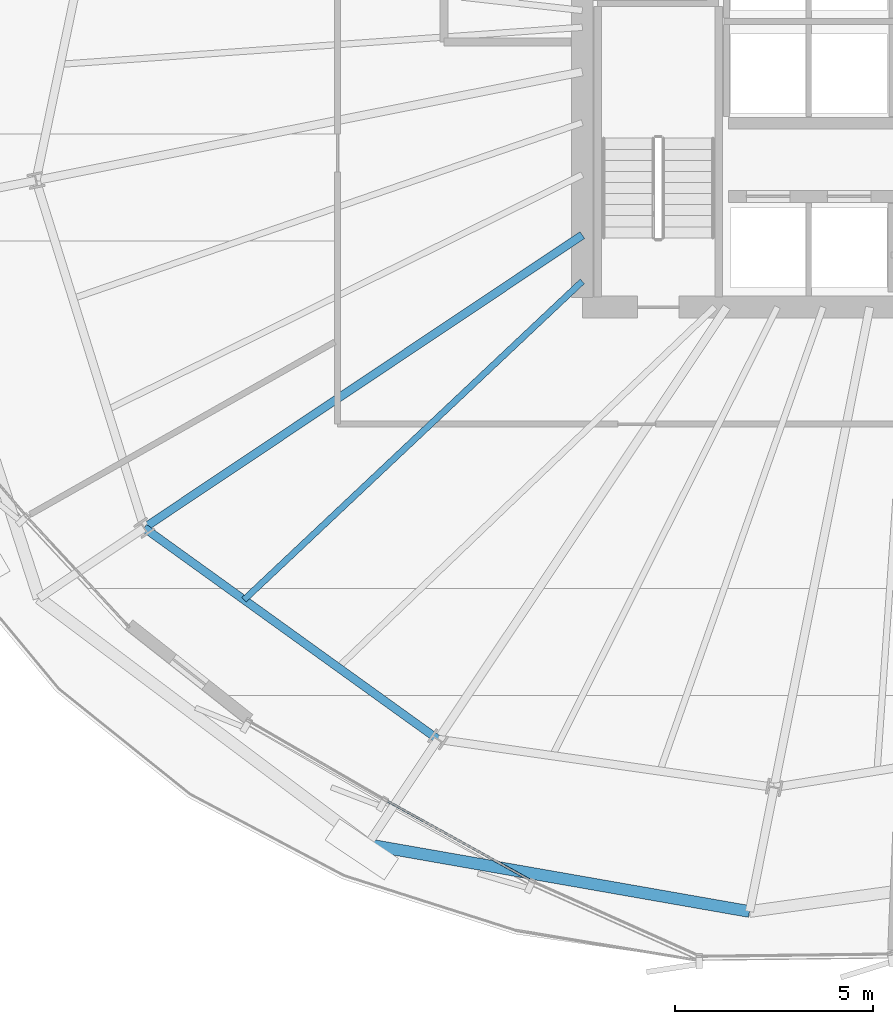
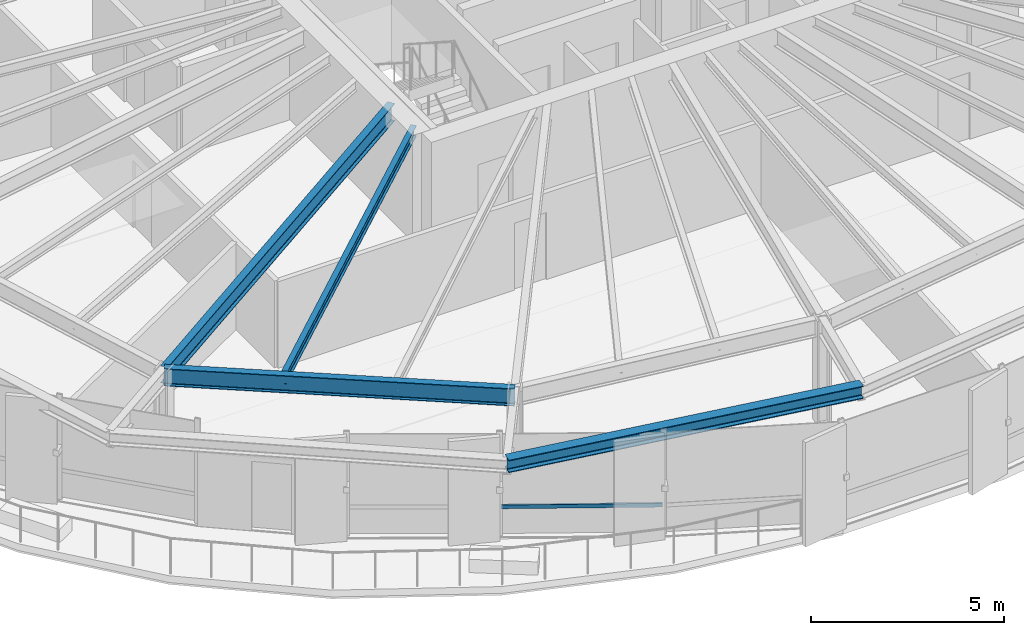
# One storey, part 4 of 35: 4 beams, 1 member, 1 element without a shape of its own.
"""IFC4 building model written with IfcOpenShell, lengths in metres."""

from ifc_helpers import new_model, si_unit, direction, frame, origin, origin_2d, place, context, subcontext, project, spatial, hollow_rectangle, i_section, extrude, source, transform, mapped, material, layer, layer_set, material_profile, profile_set, type_object, element, aggregate, save


model = new_model("IFC4")

# Units and contexts
model_context = context("Model", 3, precision=1e-05, world=origin(), true_north=direction((0.0, 1.0)))
body_context = subcontext(model_context, "Body", "Model", "MODEL_VIEW")
ifc_project = project(units=[si_unit("LENGTHUNIT", "METRE"), si_unit("AREAUNIT", "SQUARE_METRE"), si_unit("VOLUMEUNIT", "CUBIC_METRE"), si_unit("PLANEANGLEUNIT", "RADIAN"), si_unit("MASSUNIT", "GRAM", prefix="KILO"), si_unit("THERMODYNAMICTEMPERATUREUNIT", "KELVIN")], contexts=[model_context])

# Site, building, storey
site_placement = place(None, origin())
site = spatial("IfcSite", under=ifc_project, at=site_placement, CompositionType="ELEMENT")
building_placement = place(site_placement, origin())
building = spatial("IfcBuilding", under=site, at=building_placement, Name="Kethvar Cultural Tower", CompositionType="ELEMENT")
storey_placement = place(building_placement, frame((0.0, 0.0, 121.60009765625)))
storey = spatial("IfcBuildingStorey", under=building, at=storey_placement, Name="L30", CompositionType="ELEMENT", Elevation=121.60009765625)

# Beams
ifc_material_1 = material(Name="Steel S355J2", Category="steel")
ifc_material_profile_1 = material_profile(ifc_material_1, i_section(OverallWidth=0.2099609375, OverallDepth=0.550048828125, WebThickness=0.010986328125, FlangeThickness=0.01708984375, FilletRadius=0.02392578125, at=origin_2d()), Name="Steel S355J2 — IPE550")
ifc_profile_set_1 = profile_set([ifc_material_profile_1], Name="Steel S355J2 — IPE550")
beam_type_1 = type_object("IfcBeamType", Name="BM-IPE550", PredefinedType="BEAM", material=ifc_profile_set_1)
shared_shape_1 = source(origin(), body_context, "Body", "SweptSolid", [
    extrude(i_section(OverallWidth=0.2099609375, OverallDepth=0.550048828125, WebThickness=0.010986328125, FlangeThickness=0.01708984375, FilletRadius=0.02392578125, at=origin_2d()), origin(), (0.0, 0.0, 1.0), 13.324951171875),
])
beam_1_placement = place(storey_placement, frame((38.0, 21.919921875, 3.072998046875), z_axis=(-0.831474815475, -0.555562445843, 0.0), x_axis=(0.555562445843, -0.831474815475, 0.0)))
element("IfcBeam", 1, at=beam_1_placement, inside=storey, type_object=beam_type_1, Name="L30 Primary Radial Beam RB-10", PredefinedType="BEAM", context=body_context, shape_type="MappedRepresentation", body=[
    mapped(shared_shape_1, transform((0.0, 0.0, 0.0), scale=1.0)),
])
shared_shape_2 = source(origin(), body_context, "Body", "SweptSolid", [
    extrude(i_section(OverallWidth=0.2099609375, OverallDepth=0.550048828125, WebThickness=0.010986328125, FlangeThickness=0.01708984375, FilletRadius=0.02392578125, at=origin_2d()), origin(), (0.0, 0.0, 1.0), 9.155029296875),
])
beam_2_placement = place(storey_placement, frame((26.920654296875, 14.51708984375, 3.072998046875), z_axis=(0.811590987974, -0.584226042076, 0.0), x_axis=(0.584226042076, 0.811590987974, 0.0)))
element("IfcBeam", 2, at=beam_2_placement, inside=storey, type_object=beam_type_1, Name="L30 Column Ring Tie Beam CR-10", PredefinedType="BEAM", context=body_context, shape_type="MappedRepresentation", body=[
    mapped(shared_shape_2, transform((0.0, 0.0, 0.0), scale=1.0)),
])
ifc_material_profile_2 = material_profile(ifc_material_1, i_section(OverallWidth=0.159912109375, OverallDepth=0.330078125, WebThickness=0.007568359375, FlangeThickness=0.011474609375, FilletRadius=0.01806640625, at=origin_2d()), Name="Steel S355J2 — IPE330")
ifc_profile_set_2 = profile_set([ifc_material_profile_2], Name="Steel S355J2 — IPE330")
beam_type_2 = type_object("IfcBeamType", Name="BM-J330", PredefinedType="JOIST", material=ifc_profile_set_2)
shared_shape_3 = source(origin(), body_context, "Body", "SweptSolid", [
    extrude(i_section(OverallWidth=0.159912109375, OverallDepth=0.330078125, WebThickness=0.007568359375, FlangeThickness=0.011474609375, FilletRadius=0.01806640625, at=origin_2d()), origin(), (0.0, 0.0, 1.0), 11.74658203125),
])
beam_3_placement = place(storey_placement, frame((38.0, 20.75, 3.182861328125), z_axis=(-0.728129818661, -0.685439251266, 0.0), x_axis=(0.685439251266, -0.728129818661, 0.0)))
element("IfcBeam", 3, at=beam_3_placement, inside=storey, type_object=beam_type_2, Name="L30 Composite Floor Joist J-10A", PredefinedType="JOIST", context=body_context, shape_type="MappedRepresentation", body=[
    mapped(shared_shape_3, transform((0.0, 0.0, 0.0), scale=1.0)),
])
ifc_material_profile_3 = material_profile(ifc_material_1, i_section(OverallWidth=0.300048828125, OverallDepth=0.39990234375, WebThickness=0.013427734375, FlangeThickness=0.02392578125, FilletRadius=0.027099609375, at=origin_2d()), Name="Steel S355J2 — HEB400")
ifc_profile_set_3 = profile_set([ifc_material_profile_3], Name="Steel S355J2 — HEB400")
beam_type_3 = type_object("IfcBeamType", Name="BM-SP400", PredefinedType="SPANDREL", material=ifc_profile_set_3)
shared_shape_4 = source(origin(), body_context, "Body", "SweptSolid", [
    extrude(i_section(OverallWidth=0.300048828125, OverallDepth=0.39990234375, WebThickness=0.013427734375, FlangeThickness=0.02392578125, FilletRadius=0.027099609375, at=origin_2d()), origin(), (0.0, 0.0, 1.0), 9.80224609375),
])
beam_4_placement = place(storey_placement, frame((32.572998046875, 6.5078125, 3.14794921875), z_axis=(0.984974273513, -0.172701130618, 0.0), x_axis=(0.172701130618, 0.984974273513, 0.0)))
element("IfcBeam", 4, at=beam_4_placement, inside=storey, type_object=beam_type_3, Name="L30 Perimeter Spandrel Beam SP-11", PredefinedType="SPANDREL", context=body_context, shape_type="MappedRepresentation", body=[
    mapped(shared_shape_4, transform((0.0, 0.0, 0.0), scale=1.0)),
])

# Curtain wall, member
ifc_material_2 = material(Name="Aluminium 6063-T6", Category="aluminium")
ifc_layer = layer(ifc_material_2, 0.179931640625, Name="Aluminium 6063-T6", Category="aluminium")
ifc_layer_set = layer_set([ifc_layer], Name="Aluminium 6063-T6 (180 mm)")
curtain_wall_type = type_object("IfcCurtainWallType", Name="CW-SYS-03-Z2", PredefinedType="NOTDEFINED", material=ifc_layer_set)
curtain_wall_placement = place(storey_placement, origin())
curtain_wall = element("IfcCurtainWall", 5, at=curtain_wall_placement, inside=storey, type_object=curtain_wall_type, Name="L30 Curtain Wall Run 05", PredefinedType="NOTDEFINED")
ifc_material_profile_4 = material_profile(ifc_material_2, hollow_rectangle(XDim=0.054931640625, YDim=0.1201171875, WallThickness=0.00390625, at=origin_2d()), Name="Aluminium 6063-T6 — RHS120x55x4")
ifc_profile_set_4 = profile_set([ifc_material_profile_4], Name="Aluminium 6063-T6 — RHS120x55x4")
member_type = type_object("IfcMemberType", Name="CW-SYS-03-Z2-TRN", PredefinedType="USERDEFINED", material=ifc_profile_set_4)
shared_shape_5 = source(origin(), body_context, "Body", "SweptSolid", [
    extrude(hollow_rectangle(XDim=0.054931640625, YDim=0.1201171875, WallThickness=0.00390625, at=origin_2d()), origin(), (0.0, 0.0, 1.0), 4.185546875),
])
member_placement = place(storey_placement, frame((33.044677734375, 7.622802734375, 0.949951171875), z_axis=(0.874805808319, -0.484473732757, 0.0), x_axis=(0.484473732757, 0.874805808319, 0.0)))
member = element("IfcMember", 6, at=member_placement, type_object=member_type, Name="CW-L30-R05 Transom 2", ObjectType="TRANSOM", PredefinedType="USERDEFINED", context=body_context, shape_type="MappedRepresentation", body=[
    mapped(shared_shape_5, transform((0.0, 0.0, 0.0), scale=1.0)),
])
aggregate(curtain_wall, [member])

save(model, "model.ifc")
